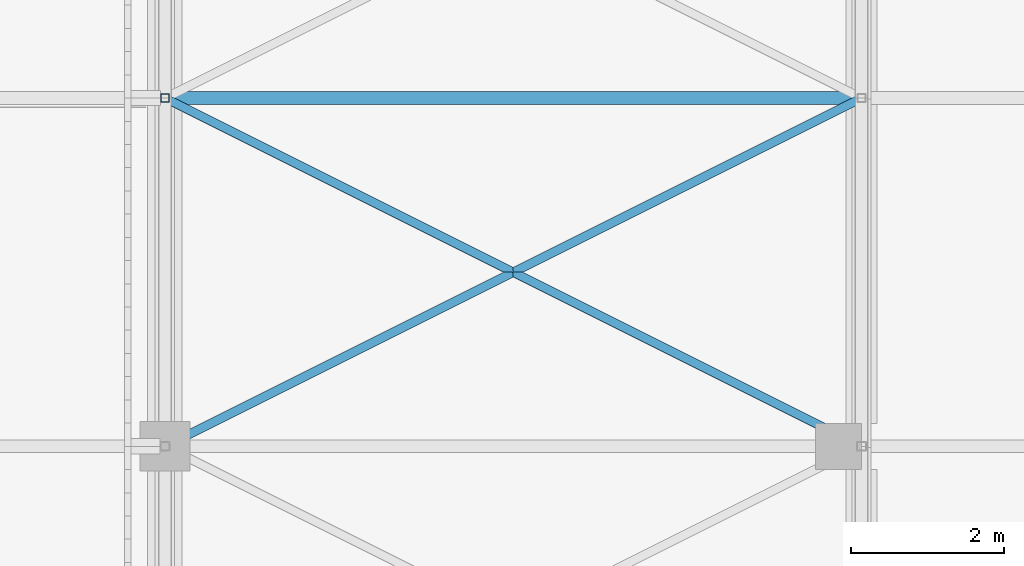
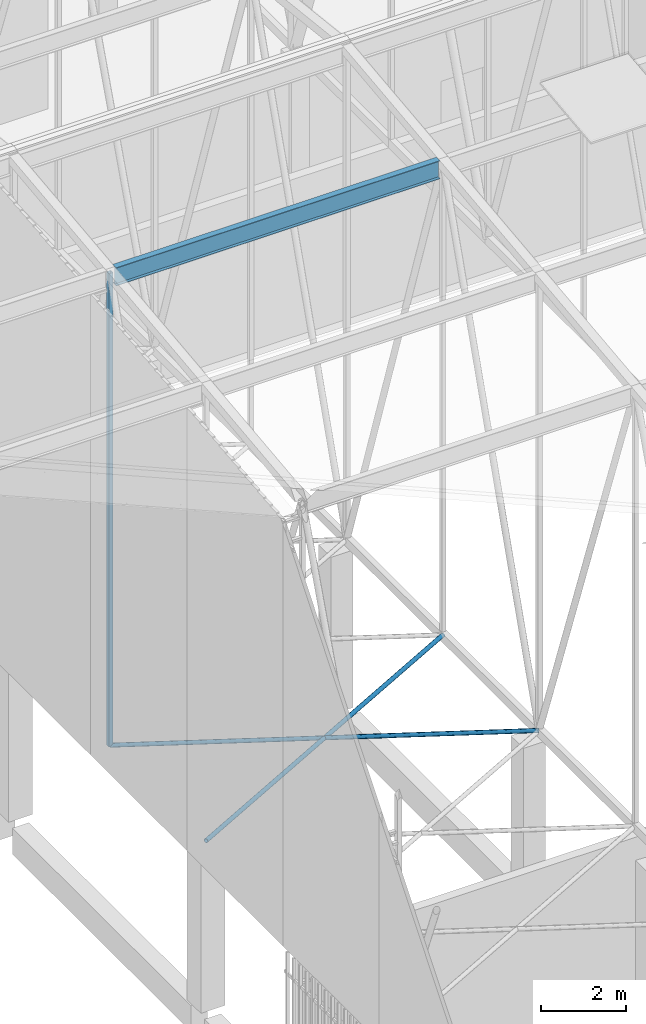
# One storey, part 64 of 500: 4 members.
"""IFC4 building model written with IfcOpenShell, lengths in metres."""

from ifc_helpers import new_model, si_unit, direction, frame, origin, origin_2d, place, context, subcontext, project, spatial, hollow_rectangle, hollow_circle, i_section, extrude, material, material_profile, profile_set, type_object, element, save


model = new_model("IFC4")

# Units and contexts
model_context = context("Model", 3, precision=1e-05, world=origin(), true_north=direction((0.0, 1.0)))
body_context = subcontext(model_context, "Body", "Model", "MODEL_VIEW")
ifc_project = project(units=[si_unit("LENGTHUNIT", "METRE"), si_unit("AREAUNIT", "SQUARE_METRE"), si_unit("VOLUMEUNIT", "CUBIC_METRE"), si_unit("PLANEANGLEUNIT", "RADIAN"), si_unit("MASSUNIT", "GRAM", prefix="KILO")], contexts=[model_context])

# Site, building, storey
site_placement = place(None, origin())
site = spatial("IfcSite", under=ifc_project, at=site_placement, CompositionType="ELEMENT")
building_placement = place(site_placement, origin())
building = spatial("IfcBuilding", under=site, at=building_placement, Name="Shirokan Park Arena", CompositionType="ELEMENT")
storey_placement = place(building_placement, frame((0.0, 0.0, 29.1201171875)))
storey = spatial("IfcBuildingStorey", under=building, at=storey_placement, Name="L06", CompositionType="ELEMENT", Elevation=29.1201171875)

# Members
ifc_material_1 = material(Name="Steel ASTM A500 Grade C", Category="steel")
ifc_material_profile_1 = material_profile(ifc_material_1, hollow_circle(Radius=0.056884765625, WallThickness=0.006103515625, at=origin_2d()), Name="HSS114.3X6")
ifc_profile_set_1 = profile_set([ifc_material_profile_1], Name="Steel ASTM A500 Grade C")
member_type_1 = type_object("IfcMemberType", Name="Plan bracing HSS114.3X6", PredefinedType="BRACE", material=ifc_profile_set_1)
for number, where, z_axis, x_axis, name in (
    (1, (0.0, 45.5, 4.677001953125), (0.894427191, 0.4472135955, 0.0), (-0.4472135955, 0.894427191, 0.0), "Plan bracing bay 1 panel 13 A"),
    (2, (9.10009765625, 45.5, 4.677001953125), (-0.894427191, 0.4472135955, 0.0), (-0.4472135955, -0.894427191, 0.0), "Plan bracing bay 1 panel 13 B"),
):
    element("IfcMember", number, at=place(storey_placement, frame(where, z_axis=z_axis, x_axis=x_axis)), inside=storey, type_object=member_type_1, Name=name, PredefinedType="BRACE", context=body_context, shape_type="SweptSolid", body=[
        extrude(hollow_circle(Radius=0.056884765625, WallThickness=0.006103515625, at=origin_2d()), origin(), (0.0, 0.0, 1.0), 10.17431640625),
    ])
ifc_material_2 = material(Name="Steel ASTM A992", Category="steel")
ifc_material_profile_2 = material_profile(ifc_material_2, i_section(OverallWidth=0.166015625, OverallDepth=0.528076171875, WebThickness=0.009765625, FlangeThickness=0.013671875, at=origin_2d()), Name="W530X74")
ifc_profile_set_2 = profile_set([ifc_material_profile_2], Name="Steel ASTM A992")
member_type_2 = type_object("IfcMemberType", Name="Purlin W530X74", PredefinedType="PURLIN", material=ifc_profile_set_2)
member_1_placement = place(storey_placement, frame((0.126953125, 50.050048828125, 18.205810546875), z_axis=(1.0, 0.0, 0.0), x_axis=(0.0, 1.0, 0.0)))
element("IfcMember", 3, at=member_1_placement, inside=storey, type_object=member_type_2, Name="Purlin 14 bay 1", PredefinedType="PURLIN", context=body_context, shape_type="SweptSolid", body=[
    extrude(i_section(OverallWidth=0.166015625, OverallDepth=0.528076171875, WebThickness=0.009765625, FlangeThickness=0.013671875, at=origin_2d()), origin(), (0.0, 0.0, 1.0), 8.845947265625),
])
ifc_material_profile_3 = material_profile(ifc_material_1, hollow_rectangle(XDim=0.114013671875, YDim=0.114013671875, WallThickness=0.00634765625, at=origin_2d()), Name="HSS114.3X114.3X6.4")
ifc_profile_set_3 = profile_set([ifc_material_profile_3], Name="Steel ASTM A500 Grade C")
member_type_3 = type_object("IfcMemberType", Name="Truss post HSS114.3X114.3X6.4", PredefinedType="POST", material=ifc_profile_set_3)
member_2_placement = place(storey_placement, frame((0.0, 50.050048828125, 4.677001953125), z_axis=(0.0, 0.0, 1.0), x_axis=(1.0, 0.0, 0.0)))
element("IfcMember", 4, at=member_2_placement, inside=storey, type_object=member_type_3, Name="Truss T01 post 14", PredefinedType="POST", context=body_context, shape_type="SweptSolid", body=[
    extrude(hollow_rectangle(XDim=0.114013671875, YDim=0.114013671875, WallThickness=0.00634765625, at=origin_2d()), origin(), (0.0, 0.0, 1.0), 13.665771484375),
])

save(model, "model.ifc")
